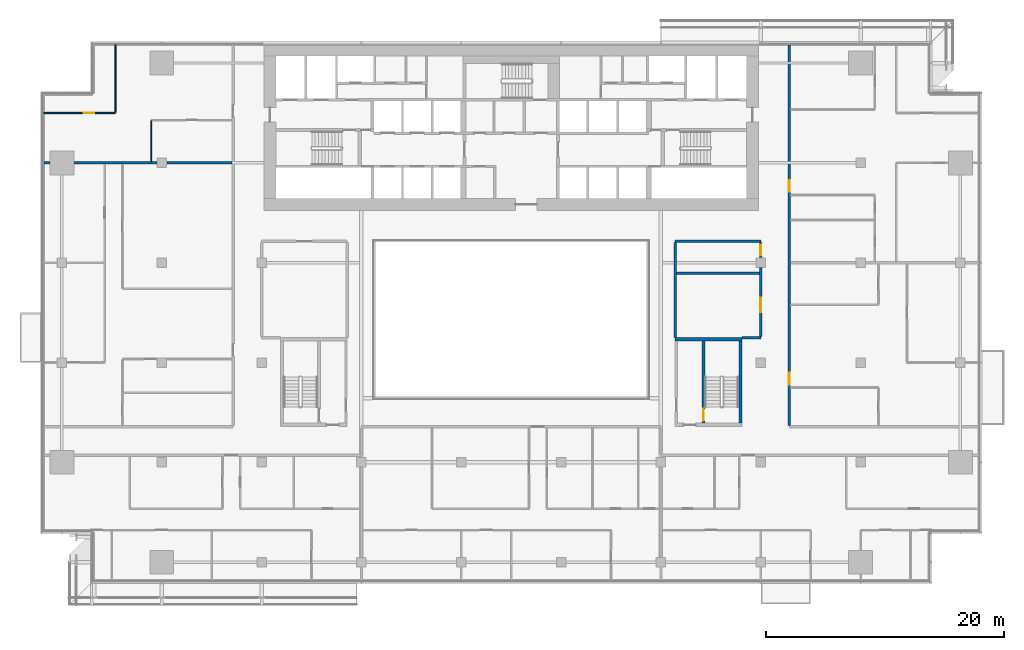
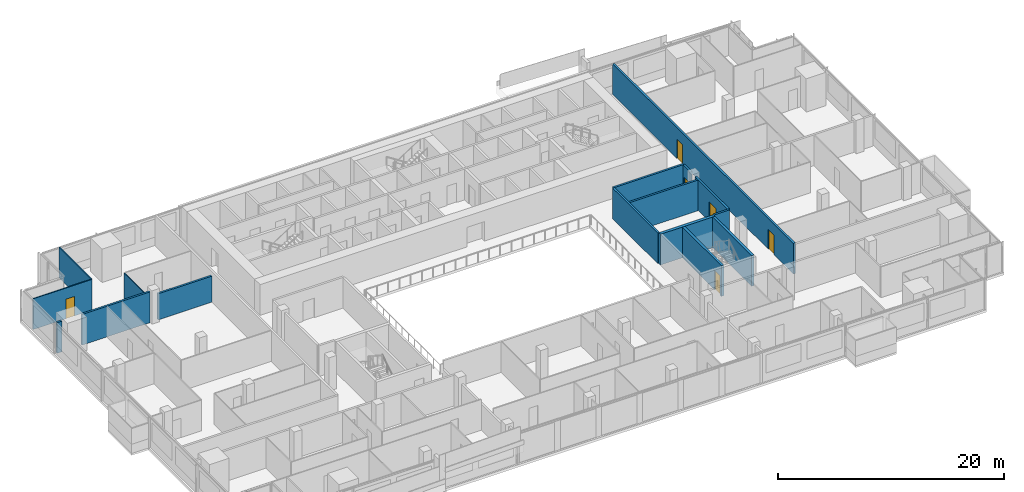
# One storey, part 19 of 29: 16 walls, 6 doors, 6 openings.
"""IFC4 building model written with IfcOpenShell, lengths in metres."""

from ifc_helpers import new_model, si_unit, direction, frame, frame_2d, origin, place, context, subcontext, project, spatial, rectangle, extrude, material, layer, layer_set, type_object, element, fill, save


model = new_model("IFC4")

# Units and contexts
model_context = context("Model", 3, precision=1e-05, world=origin(), true_north=direction((0.0, 1.0)))
body_context = subcontext(model_context, "Body", "Model", "MODEL_VIEW")
ifc_project = project(units=[si_unit("LENGTHUNIT", "METRE"), si_unit("AREAUNIT", "SQUARE_METRE"), si_unit("VOLUMEUNIT", "CUBIC_METRE"), si_unit("PLANEANGLEUNIT", "RADIAN"), si_unit("MASSUNIT", "GRAM", prefix="KILO")], contexts=[model_context])

# Site, building, storey
site_placement = place(None, origin())
site = spatial("IfcSite", under=ifc_project, at=site_placement, CompositionType="ELEMENT")
building_placement = place(site_placement, origin())
building = spatial("IfcBuilding", under=site, at=building_placement, Name="Saffron Gate Tower", CompositionType="ELEMENT")
storey_placement = place(building_placement, frame((0.0, 0.0, 116.85009765625)))
storey = spatial("IfcBuildingStorey", under=building, at=storey_placement, Name="L27", CompositionType="ELEMENT", Elevation=116.85009765625)

# Wall, opening, door
ifc_material_1 = material(Name="Concrete C70", Category="concrete")
ifc_layer_1 = layer(ifc_material_1, 0.25)
ifc_layer_set_1 = layer_set([ifc_layer_1], Name="CW2 RC core wall 250 C70")
wall_type_1 = type_object("IfcWallType", Name="CW2 RC core wall 250 C70", PredefinedType="SOLIDWALL", material=ifc_layer_set_1)
wall_1_placement = place(storey_placement, frame((103.77490234375, 43.5, 0.0), z_axis=(0.0, 0.0, 1.0), x_axis=(0.0, 1.0, 0.0)))
wall_1 = element("IfcWall", 1, at=wall_1_placement, inside=storey, type_object=wall_type_1, Name="Wall CW2-L27-E-3", PredefinedType="SOLIDWALL", context=body_context, shape_type="SweptSolid", body=[
    extrude(rectangle(XDim=6.89990234375, YDim=0.25, at=frame_2d((3.449951171875, 0.0))), origin(), (0.0, 0.0, 1.0), 3.31982421875),
])
opening_1_placement = place(wall_1_placement, frame((0.199951171875, 0.0, 0.0)))
opening_1 = element("IfcOpeningElement", 2, at=opening_1_placement, cuts=wall_1, Name="Opening CR-23", PredefinedType="OPENING", context=body_context, shape_type="SweptSolid", body=[
    extrude(rectangle(XDim=1.0, YDim=2.10009765625, at=frame_2d((0.5, 1.050048828125))), frame((0.0, 0.135009765625, 0.0), z_axis=(0.0, -1.0, 0.0), x_axis=(1.0, 0.0, 0.0)), (0.0, 0.0, 1.0), 0.27001953125),
])
ifc_material_2 = material(Name="Steel fire door set", Category="steel")
door_type_1 = type_object("IfcDoorType", Name="CD5 Stair door 1000x2100 EI 120", OperationType="NOTDEFINED", PredefinedType="DOOR", material=ifc_material_2)
door_1_placement = place(opening_1_placement, origin())
door_1 = element("IfcDoor", 3, at=door_1_placement, inside=storey, type_object=door_type_1, Name="DOOR CR-23", OperationType="SINGLE_SWING_RIGHT", OverallHeight=2.10009765625, OverallWidth=1.0, PredefinedType="DOOR", context=body_context, shape_type="SweptSolid", body=[
    extrude(rectangle(XDim=1.0, YDim=2.10009765625, at=frame_2d((0.5, 1.050048828125))), frame((0.0, 0.02490234375, 0.0), z_axis=(0.0, -1.0, 0.0), x_axis=(1.0, 0.0, 0.0)), (0.0, 0.0, 1.0), 0.050048828125),
])
fill(opening_1, door_1)

# Walls
wall_2_placement = place(storey_placement, frame((106.875, 43.5, 0.0), z_axis=(0.0, 0.0, 1.0), x_axis=(0.0, 1.0, 0.0)))
element("IfcWall", 4, at=wall_2_placement, inside=storey, type_object=wall_type_1, Name="Wall CW2-L27-E-4", PredefinedType="SOLIDWALL", context=body_context, shape_type="SweptSolid", body=[
    extrude(rectangle(XDim=6.89990234375, YDim=0.25, at=frame_2d((3.449951171875, 0.0))), origin(), (0.0, 0.0, 1.0), 3.31982421875),
])
ifc_layer_2 = layer(ifc_material_1, 0.300048828125)
ifc_layer_set_2 = layer_set([ifc_layer_2], Name="CW5 RC core wall 300 C70")
wall_type_2 = type_object("IfcWallType", Name="CW5 RC core wall 300 C70", PredefinedType="SOLIDWALL", material=ifc_layer_set_2)
wall_3_placement = place(storey_placement, frame((101.39990234375, 50.550048828125, 0.0), z_axis=(0.0, 0.0, 1.0), x_axis=(1.0, 0.0, 0.0)))
element("IfcWall", 5, at=wall_3_placement, inside=storey, type_object=wall_type_2, Name="Wall CW5-L27-E-5", PredefinedType="SOLIDWALL", context=body_context, shape_type="SweptSolid", body=[
    extrude(rectangle(XDim=5.60009765625, YDim=0.300048828125, at=frame_2d((2.800048828125, 0.0))), origin(), (0.0, 0.0, 1.0), 3.31982421875),
])

# Wall, opening, door
ifc_material_3 = material(Name="Plasterboard on steel studs", Category="steel")
ifc_layer_3 = layer(ifc_material_3, 0.10009765625)
ifc_layer_set_3 = layer_set([ifc_layer_3], Name="PW1 Partition 100")
wall_type_3 = type_object("IfcWallType", Name="PW1 Partition 100", PredefinedType="PARTITIONING", material=ifc_layer_set_3)
wall_4_placement = place(storey_placement, frame((48.280029296875, 69.60009765625, 0.0), z_axis=(0.0, 0.0, 1.0), x_axis=(1.0, 0.0, 0.0)))
wall_4 = element("IfcWall", 6, at=wall_4_placement, inside=storey, type_object=wall_type_3, Name="Partition B3-44", PredefinedType="PARTITIONING", context=body_context, shape_type="SweptSolid", body=[
    extrude(rectangle(XDim=6.02001953125, YDim=0.10009765625, at=frame_2d((3.010009765625, 0.0))), origin(), (0.0, 0.0, 1.0), 3.31982421875),
])
opening_2_placement = place(wall_4_placement, frame((3.3388671875, 0.0, 0.0)))
opening_2 = element("IfcOpeningElement", 7, at=opening_2_placement, cuts=wall_4, Name="Opening B3-25", PredefinedType="OPENING", context=body_context, shape_type="SweptSolid", body=[
    extrude(rectangle(XDim=0.89990234375, YDim=2.10009765625, at=frame_2d((0.449951171875, 1.050048828125))), frame((0.0, 0.06005859375, 0.0), z_axis=(0.0, -1.0, 0.0), x_axis=(1.0, 0.0, 0.0)), (0.0, 0.0, 1.0), 0.1201171875),
])
ifc_material_4 = material(Name="Timber door set", Category="wood")
door_type_2 = type_object("IfcDoorType", Name="RD1 Room door 900x2100", OperationType="NOTDEFINED", PredefinedType="DOOR", material=ifc_material_4)
door_2_placement = place(opening_2_placement, origin())
door_2 = element("IfcDoor", 8, at=door_2_placement, inside=storey, type_object=door_type_2, Name="Door B3-25", OperationType="SINGLE_SWING_RIGHT", OverallHeight=2.10009765625, OverallWidth=0.89990234375, PredefinedType="DOOR", context=body_context, shape_type="SweptSolid", body=[
    extrude(rectangle(XDim=0.89990234375, YDim=2.10009765625, at=frame_2d((0.449951171875, 1.050048828125))), frame((0.0, 0.02490234375, 0.0), z_axis=(0.0, -1.0, 0.0), x_axis=(1.0, 0.0, 0.0)), (0.0, 0.0, 1.0), 0.050048828125),
])
fill(opening_2, door_2)

# Walls
wall_5_placement = place(storey_placement, frame((54.300048828125, 75.320068359375, 0.0), z_axis=(0.0, 0.0, 1.0), x_axis=(0.0, -1.0, 0.0)))
element("IfcWall", 9, at=wall_5_placement, inside=storey, type_object=wall_type_3, Name="Partition B3-49", PredefinedType="PARTITIONING", context=body_context, shape_type="SweptSolid", body=[
    extrude(rectangle(XDim=5.670166015625, YDim=0.10009765625, at=frame_2d((2.8349609375, 0.0))), origin(), (0.0, 0.0, 1.0), 3.31982421875),
])
wall_6_placement = place(storey_placement, frame((57.300048828125, 68.949951171875, 0.0), z_axis=(0.0, 0.0, 1.0), x_axis=(0.0, -1.0, 0.0)))
element("IfcWall", 10, at=wall_6_placement, inside=storey, type_object=wall_type_3, Name="Partition B3-53", PredefinedType="PARTITIONING", context=body_context, shape_type="SweptSolid", body=[
    extrude(rectangle(XDim=3.449951171875, YDim=0.10009765625, at=frame_2d((1.72509765625, 0.0))), origin(), (0.0, 0.0, 1.0), 3.31982421875),
])
ifc_material_5 = material(Name="Clay brick masonry, rendered", Category="masonry")
ifc_layer_4 = layer(ifc_material_5, 0.199951171875)
ifc_layer_set_4 = layer_set([ifc_layer_4], Name="PW2 Demising wall 200")
wall_type_4 = type_object("IfcWallType", Name="PW2 Demising wall 200", PredefinedType="PARTITIONING", material=ifc_layer_set_4)
wall_7_placement = place(storey_placement, frame((48.280029296875, 65.39990234375, 0.0), z_axis=(0.0, 0.0, 1.0), x_axis=(1.0, 0.0, 0.0)))
element("IfcWall", 11, at=wall_7_placement, inside=storey, type_object=wall_type_4, Name="Wall B3-38", PredefinedType="PARTITIONING", context=body_context, shape_type="SweptSolid", body=[
    extrude(rectangle(XDim=0.5, YDim=0.199951171875, at=frame_2d((0.25, 0.0))), origin(), (0.0, 0.0, 1.0), 3.31982421875),
])
wall_8_placement = place(storey_placement, frame((50.820068359375, 65.39990234375, 0.0), z_axis=(0.0, 0.0, 1.0), x_axis=(1.0, 0.0, 0.0)))
element("IfcWall", 12, at=wall_8_placement, inside=storey, type_object=wall_type_4, Name="Wall B3-39", PredefinedType="PARTITIONING", context=body_context, shape_type="SweptSolid", body=[
    extrude(rectangle(XDim=6.9599609375, YDim=0.199951171875, at=frame_2d((3.47998046875, 0.0))), origin(), (0.0, 0.0, 1.0), 3.31982421875),
])
wall_9_placement = place(storey_placement, frame((58.6201171875, 65.39990234375, 0.0), z_axis=(0.0, 0.0, 1.0), x_axis=(1.0, 0.0, 0.0)))
element("IfcWall", 13, at=wall_9_placement, inside=storey, type_object=wall_type_4, Name="Wall B3-40", PredefinedType="PARTITIONING", context=body_context, shape_type="SweptSolid", body=[
    extrude(rectangle(XDim=5.47998046875, YDim=0.199951171875, at=frame_2d((2.739990234375, 0.0))), origin(), (0.0, 0.0, 1.0), 2.81982421875),
])
ifc_layer_5 = layer(ifc_material_5, 0.199951171875)
ifc_layer_set_5 = layer_set([ifc_layer_5], Name="PW3 Corridor wall 200")
wall_type_5 = type_object("IfcWallType", Name="PW3 Corridor wall 200", PredefinedType="PARTITIONING", material=ifc_layer_set_5)
wall_10_placement = place(storey_placement, frame((107.0, 50.699951171875, 0.0), z_axis=(0.0, 0.0, 1.0), x_axis=(1.0, 0.0, 0.0)))
element("IfcWall", 14, at=wall_10_placement, inside=storey, type_object=wall_type_5, Name="Wall B3-25", PredefinedType="PARTITIONING", context=body_context, shape_type="SweptSolid", body=[
    extrude(rectangle(XDim=1.60009765625, YDim=0.199951171875, at=frame_2d((0.800048828125, 0.0))), origin(), (0.0, 0.0, 1.0), 3.31982421875),
])
wall_11_placement = place(storey_placement, frame((101.39990234375, 58.800048828125, 0.0), z_axis=(0.0, 0.0, 1.0), x_axis=(1.0, 0.0, 0.0)))
element("IfcWall", 15, at=wall_11_placement, inside=storey, type_object=wall_type_5, Name="Wall B3-35", PredefinedType="PARTITIONING", context=body_context, shape_type="SweptSolid", body=[
    extrude(rectangle(XDim=7.2001953125, YDim=0.199951171875, at=frame_2d((3.60009765625, 0.0))), origin(), (0.0, 0.0, 1.0), 3.31982421875),
])
wall_12_placement = place(storey_placement, frame((101.39990234375, 58.699951171875, 0.0), z_axis=(0.0, 0.0, 1.0), x_axis=(0.0, -1.0, 0.0)))
element("IfcWall", 16, at=wall_12_placement, inside=storey, type_object=wall_type_5, Name="Wall B3-78", PredefinedType="PARTITIONING", context=body_context, shape_type="SweptSolid", body=[
    extrude(rectangle(XDim=8.0, YDim=0.199951171875, at=frame_2d((4.0, 0.0))), origin(), (0.0, 0.0, 1.0), 3.31982421875),
])

# Wall, opening, door
wall_13_placement = place(storey_placement, frame((108.60009765625, 50.800048828125, 0.0), z_axis=(0.0, 0.0, 1.0), x_axis=(0.0, 1.0, 0.0)))
wall_13 = element("IfcWall", 17, at=wall_13_placement, inside=storey, type_object=wall_type_5, Name="Wall B3-81", PredefinedType="PARTITIONING", context=body_context, shape_type="SweptSolid", body=[
    extrude(rectangle(XDim=5.780029296875, YDim=0.199951171875, at=frame_2d((2.89013671875, 0.0))), origin(), (0.0, 0.0, 1.0), 3.31982421875),
])
opening_3_placement = place(wall_13_placement, frame((2.050048828125, 0.0, 0.0)))
opening_3 = element("IfcOpeningElement", 18, at=opening_3_placement, cuts=wall_13, Name="Opening B3-44", PredefinedType="OPENING", context=body_context, shape_type="SweptSolid", body=[
    extrude(rectangle(XDim=1.199951171875, YDim=2.10009765625, at=frame_2d((0.60009765625, 1.050048828125))), frame((0.0, 0.10986328125, 0.0), z_axis=(0.0, -1.0, 0.0), x_axis=(1.0, 0.0, 0.0)), (0.0, 0.0, 1.0), 0.219970703125),
])
door_type_3 = type_object("IfcDoorType", Name="HD1 Hall door 1200x2100", OperationType="NOTDEFINED", PredefinedType="DOOR", material=ifc_material_4)
door_3_placement = place(opening_3_placement, origin())
door_3 = element("IfcDoor", 19, at=door_3_placement, inside=storey, type_object=door_type_3, Name="Door B3-44", OperationType="SINGLE_SWING_RIGHT", OverallHeight=2.10009765625, OverallWidth=1.199951171875, PredefinedType="DOOR", context=body_context, shape_type="SweptSolid", body=[
    extrude(rectangle(XDim=1.199951171875, YDim=2.10009765625, at=frame_2d((0.60009765625, 1.050048828125))), frame((0.0, 0.02490234375, 0.0), z_axis=(0.0, -1.0, 0.0), x_axis=(1.0, 0.0, 0.0)), (0.0, 0.0, 1.0), 0.050048828125),
])
fill(opening_3, door_3)

wall_14_placement = place(storey_placement, frame((108.60009765625, 57.419921875, 0.0), z_axis=(0.0, 0.0, 1.0), x_axis=(0.0, 1.0, 0.0)))
wall_14 = element("IfcWall", 20, at=wall_14_placement, inside=storey, type_object=wall_type_5, Name="Wall B3-82", PredefinedType="PARTITIONING", context=body_context, shape_type="SweptSolid", body=[
    extrude(rectangle(XDim=1.280029296875, YDim=0.199951171875, at=frame_2d((0.64013671875, 0.0))), origin(), (0.0, 0.0, 1.0), 3.31982421875),
])
opening_4_placement = place(wall_14_placement, frame((0.18994140625, 0.0, 0.0)))
opening_4 = element("IfcOpeningElement", 21, at=opening_4_placement, cuts=wall_14, Name="Opening B3-31", PredefinedType="OPENING", context=body_context, shape_type="SweptSolid", body=[
    extrude(rectangle(XDim=0.89990234375, YDim=2.10009765625, at=frame_2d((0.449951171875, 1.050048828125))), frame((0.0, 0.10986328125, 0.0), z_axis=(0.0, -1.0, 0.0), x_axis=(1.0, 0.0, 0.0)), (0.0, 0.0, 1.0), 0.219970703125),
])
door_4_placement = place(opening_4_placement, origin())
door_4 = element("IfcDoor", 22, at=door_4_placement, inside=storey, type_object=door_type_2, Name="Door B3-31", OperationType="SINGLE_SWING_RIGHT", OverallHeight=2.10009765625, OverallWidth=0.89990234375, PredefinedType="DOOR", context=body_context, shape_type="SweptSolid", body=[
    extrude(rectangle(XDim=0.89990234375, YDim=2.10009765625, at=frame_2d((0.449951171875, 1.050048828125))), frame((0.0, 0.02490234375, 0.0), z_axis=(0.0, -1.0, 0.0), x_axis=(1.0, 0.0, 0.0)), (0.0, 0.0, 1.0), 0.050048828125),
])
fill(opening_4, door_4)

# Wall, openings, doors
wall_15_placement = place(storey_placement, frame((111.0, 75.320068359375, 0.0), z_axis=(0.0, 0.0, 1.0), x_axis=(0.0, -1.0, 0.0)))
wall_15 = element("IfcWall", 23, at=wall_15_placement, inside=storey, type_object=wall_type_5, Name="Wall B3-85", PredefinedType="PARTITIONING", context=body_context, shape_type="SweptSolid", body=[
    extrude(rectangle(XDim=32.02001953125, YDim=0.199951171875, at=frame_2d((16.010009765625, 0.0))), origin(), (0.0, 0.0, 1.0), 3.31982421875),
])
opening_5_placement = place(wall_15_placement, frame((11.3701171875, 0.0, 0.0)))
opening_5 = element("IfcOpeningElement", 24, at=opening_5_placement, cuts=wall_15, Name="Opening B3-7", PredefinedType="OPENING", context=body_context, shape_type="SweptSolid", body=[
    extrude(rectangle(XDim=1.0, YDim=2.10009765625, at=frame_2d((0.5, 1.050048828125))), frame((0.0, 0.10986328125, 0.0), z_axis=(0.0, -1.0, 0.0), x_axis=(1.0, 0.0, 0.0)), (0.0, 0.0, 1.0), 0.219970703125),
])
opening_6_placement = place(wall_15_placement, frame((27.570068359375, 0.0, 0.0)))
opening_6 = element("IfcOpeningElement", 25, at=opening_6_placement, cuts=wall_15, Name="Opening B3-6", PredefinedType="OPENING", context=body_context, shape_type="SweptSolid", body=[
    extrude(rectangle(XDim=1.0, YDim=2.10009765625, at=frame_2d((0.5, 1.050048828125))), frame((0.0, 0.10986328125, 0.0), z_axis=(0.0, -1.0, 0.0), x_axis=(1.0, 0.0, 0.0)), (0.0, 0.0, 1.0), 0.219970703125),
])
ifc_material_6 = material(Name="Timber fire door set", Category="wood")
door_type_4 = type_object("IfcDoorType", Name="FD1 Flat entry door 1000x2100", OperationType="NOTDEFINED", PredefinedType="DOOR", material=ifc_material_6)
door_5_placement = place(opening_5_placement, origin())
door_5 = element("IfcDoor", 26, at=door_5_placement, inside=storey, type_object=door_type_4, Name="Door B3-7", OperationType="SINGLE_SWING_LEFT", OverallHeight=2.10009765625, OverallWidth=1.0, PredefinedType="DOOR", context=body_context, shape_type="SweptSolid", body=[
    extrude(rectangle(XDim=1.0, YDim=2.10009765625, at=frame_2d((0.5, 1.050048828125))), frame((0.0, 0.02490234375, 0.0), z_axis=(0.0, -1.0, 0.0), x_axis=(1.0, 0.0, 0.0)), (0.0, 0.0, 1.0), 0.050048828125),
])
fill(opening_5, door_5)
door_6_placement = place(opening_6_placement, origin())
door_6 = element("IfcDoor", 27, at=door_6_placement, inside=storey, type_object=door_type_4, Name="Door B3-6", OperationType="SINGLE_SWING_LEFT", OverallHeight=2.10009765625, OverallWidth=1.0, PredefinedType="DOOR", context=body_context, shape_type="SweptSolid", body=[
    extrude(rectangle(XDim=1.0, YDim=2.10009765625, at=frame_2d((0.5, 1.050048828125))), frame((0.0, 0.02490234375, 0.0), z_axis=(0.0, -1.0, 0.0), x_axis=(1.0, 0.0, 0.0)), (0.0, 0.0, 1.0), 0.050048828125),
])
fill(opening_6, door_6)

# Wall
ifc_layer_6 = layer(ifc_material_5, 0.199951171875)
ifc_layer_set_6 = layer_set([ifc_layer_6], Name="PW5 Room wall 200")
wall_type_6 = type_object("IfcWallType", Name="PW5 Room wall 200", PredefinedType="PARTITIONING", material=ifc_layer_set_6)
wall_16_placement = place(storey_placement, frame((101.5, 56.10009765625, 0.0), z_axis=(0.0, 0.0, 1.0), x_axis=(1.0, 0.0, 0.0)))
element("IfcWall", 28, at=wall_16_placement, inside=storey, type_object=wall_type_6, Name="Wall B3-28", PredefinedType="PARTITIONING", context=body_context, shape_type="SweptSolid", body=[
    extrude(rectangle(XDim=7.0, YDim=0.199951171875, at=frame_2d((3.5, 0.0))), origin(), (0.0, 0.0, 1.0), 3.31982421875),
])

save(model, "model.ifc")
